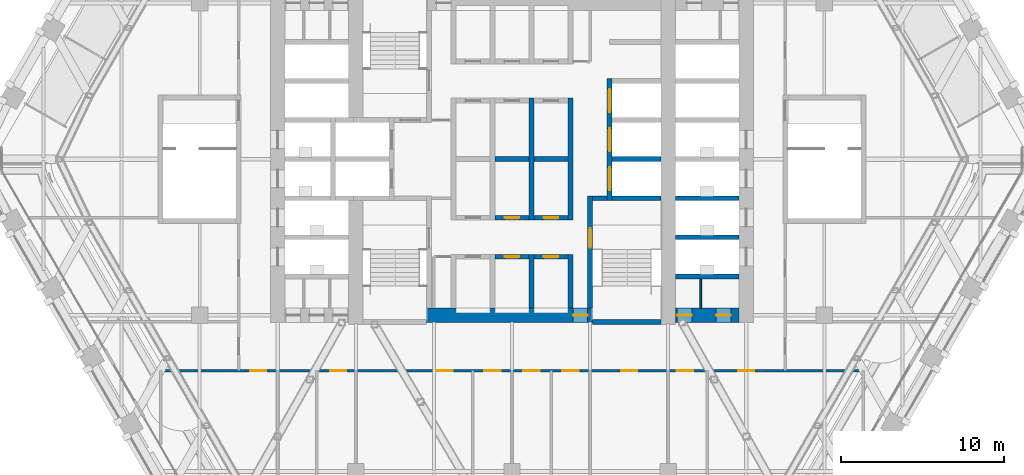
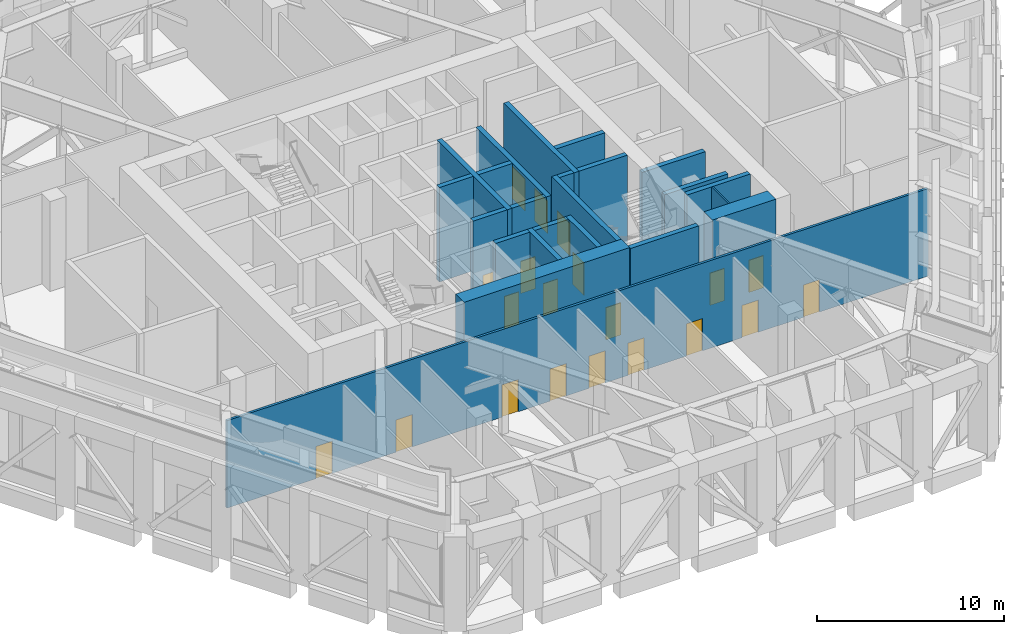
# One storey, part 17 of 27: 23 walls, 20 doors, 20 openings.
"""IFC4 building model written with IfcOpenShell, lengths in metres."""

from ifc_helpers import new_model, si_unit, direction, frame, frame_2d, origin, place, context, subcontext, project, spatial, rectangle, extrude, material, layer, layer_set, type_object, element, fill, save


model = new_model("IFC4")

# Units and contexts
model_context = context("Model", 3, precision=1e-05, world=origin(), true_north=direction((0.0, 1.0)))
body_context = subcontext(model_context, "Body", "Model", "MODEL_VIEW")
ifc_project = project(units=[si_unit("LENGTHUNIT", "METRE"), si_unit("AREAUNIT", "SQUARE_METRE"), si_unit("VOLUMEUNIT", "CUBIC_METRE"), si_unit("PLANEANGLEUNIT", "RADIAN"), si_unit("MASSUNIT", "GRAM", prefix="KILO")], contexts=[model_context])

# Site, building, storey
site_placement = place(None, origin())
site = spatial("IfcSite", under=ifc_project, at=site_placement, CompositionType="ELEMENT")
building_placement = place(site_placement, origin())
building = spatial("IfcBuilding", under=site, at=building_placement, Name="Kolab Exchange Tower", CompositionType="ELEMENT")
storey_placement = place(building_placement, frame((0.0, 0.0, 127.39990234375)))
storey = spatial("IfcBuildingStorey", under=building, at=storey_placement, Name="L25", CompositionType="ELEMENT", Elevation=127.39990234375)

# Wall, opening, door
ifc_material_1 = material(Name="Concrete C70/85", Category="concrete")
ifc_layer_1 = layer(ifc_material_1, 0.89990234375)
ifc_layer_set_1 = layer_set([ifc_layer_1], Name="Concrete C70/85")
wall_type_1 = type_object("IfcWallType", Name="CORE WALL 900 C70/85", PredefinedType="SHEAR", material=ifc_layer_set_1)
wall_1_placement = place(storey_placement, frame((-5.25, -9.60009765625, -0.2998046875), z_axis=(0.0, 0.0, 1.0), x_axis=(1.0, 0.0, 0.0)))
wall_1 = element("IfcWall", 1, at=wall_1_placement, inside=storey, type_object=wall_type_1, Name="wall/L25/core/003", PredefinedType="SHEAR", context=body_context, shape_type="SweptSolid", body=[
    extrude(rectangle(XDim=10.199951171875, YDim=0.89990234375, at=frame_2d((5.10009765625, 0.0))), origin(), (0.0, 0.0, 1.0), 6.14990234375),
])
opening_1_placement = place(wall_1_placement, frame((9.0, 0.0, 0.300048828125)))
opening_1 = element("IfcOpeningElement", 2, at=opening_1_placement, cuts=wall_1, Name="Opening D6-274", PredefinedType="OPENING", context=body_context, shape_type="SweptSolid", body=[
    extrude(rectangle(XDim=0.89990234375, YDim=2.10009765625, at=frame_2d((0.449951171875, 1.050048828125))), frame((0.0, 0.4599609375, 0.0), z_axis=(0.0, -1.0, 0.0), x_axis=(1.0, 0.0, 0.0)), (0.0, 0.0, 1.0), 0.919921875),
])
ifc_material_2 = material(Name="Steel S235", Category="steel")
door_type_1 = type_object("IfcDoorType", Name="CORE DOOR 900 EI 120", OperationType="SINGLE_SWING_LEFT", PredefinedType="DOOR", material=ifc_material_2)
door_1_placement = place(opening_1_placement, origin())
door_1 = element("IfcDoor", 3, at=door_1_placement, inside=storey, type_object=door_type_1, Name="Core lobby door", OperationType="SINGLE_SWING_LEFT", OverallHeight=2.10009765625, OverallWidth=0.89990234375, PredefinedType="DOOR", context=body_context, shape_type="SweptSolid", body=[
    extrude(rectangle(XDim=0.89990234375, YDim=2.10009765625, at=frame_2d((0.449951171875, 1.050048828125))), frame((0.0, 0.02490234375, 0.0), z_axis=(0.0, -1.0, 0.0), x_axis=(1.0, 0.0, 0.0)), (0.0, 0.0, 1.0), 0.050048828125),
])
fill(opening_1, door_1)

# Wall, openings, doors
wall_2_placement = place(storey_placement, frame((10.050048828125, -9.60009765625, -0.2998046875), z_axis=(0.0, 0.0, 1.0), x_axis=(1.0, 0.0, 0.0)))
wall_2 = element("IfcWall", 4, at=wall_2_placement, inside=storey, type_object=wall_type_1, Name="wall/L25/core/004", PredefinedType="SHEAR", context=body_context, shape_type="SweptSolid", body=[
    extrude(rectangle(XDim=3.89990234375, YDim=0.89990234375, at=frame_2d((1.949951171875, 0.0))), origin(), (0.0, 0.0, 1.0), 6.14990234375),
])
opening_2_placement = place(wall_2_placement, frame((0.10009765625, 0.0, 0.300048828125)))
opening_2 = element("IfcOpeningElement", 5, at=opening_2_placement, cuts=wall_2, Name="Opening D6-279", PredefinedType="OPENING", context=body_context, shape_type="SweptSolid", body=[
    extrude(rectangle(XDim=0.89990234375, YDim=2.10009765625, at=frame_2d((0.449951171875, 1.050048828125))), frame((0.0, 0.4599609375, 0.0), z_axis=(0.0, -1.0, 0.0), x_axis=(1.0, 0.0, 0.0)), (0.0, 0.0, 1.0), 0.919921875),
])
opening_3_placement = place(wall_2_placement, frame((2.5, 0.0, 0.300048828125)))
opening_3 = element("IfcOpeningElement", 6, at=opening_3_placement, cuts=wall_2, Name="Opening D6-280", PredefinedType="OPENING", context=body_context, shape_type="SweptSolid", body=[
    extrude(rectangle(XDim=0.89990234375, YDim=2.10009765625, at=frame_2d((0.449951171875, 1.050048828125))), frame((0.0, 0.4599609375, 0.0), z_axis=(0.0, -1.0, 0.0), x_axis=(1.0, 0.0, 0.0)), (0.0, 0.0, 1.0), 0.919921875),
])
door_2_placement = place(opening_2_placement, origin())
door_2 = element("IfcDoor", 7, at=door_2_placement, inside=storey, type_object=door_type_1, Name="Service room door", OperationType="SINGLE_SWING_RIGHT", OverallHeight=2.10009765625, OverallWidth=0.89990234375, PredefinedType="DOOR", context=body_context, shape_type="SweptSolid", body=[
    extrude(rectangle(XDim=0.89990234375, YDim=2.10009765625, at=frame_2d((0.449951171875, 1.050048828125))), frame((0.0, 0.02490234375, 0.0), z_axis=(0.0, -1.0, 0.0), x_axis=(1.0, 0.0, 0.0)), (0.0, 0.0, 1.0), 0.050048828125),
])
fill(opening_2, door_2)
door_3_placement = place(opening_3_placement, origin())
door_3 = element("IfcDoor", 8, at=door_3_placement, inside=storey, type_object=door_type_1, Name="Service room door", OperationType="SINGLE_SWING_LEFT", OverallHeight=2.10009765625, OverallWidth=0.89990234375, PredefinedType="DOOR", context=body_context, shape_type="SweptSolid", body=[
    extrude(rectangle(XDim=0.89990234375, YDim=2.10009765625, at=frame_2d((0.449951171875, 1.050048828125))), frame((0.0, 0.02490234375, 0.0), z_axis=(0.0, -1.0, 0.0), x_axis=(1.0, 0.0, 0.0)), (0.0, 0.0, 1.0), 0.050048828125),
])
fill(opening_3, door_3)

# Wall
ifc_material_3 = material(Name="Concrete C50/60", Category="concrete")
ifc_layer_2 = layer(ifc_material_3, 0.300048828125)
ifc_layer_set_2 = layer_set([ifc_layer_2], Name="Concrete C50/60")
wall_type_2 = type_object("IfcWallType", Name="LIFT SHAFT WALL 300 C50/60", PredefinedType="STANDARD", material=ifc_layer_set_2)
wall_3_placement = place(storey_placement, frame((10.050048828125, -7.199951171875, -0.2998046875), z_axis=(0.0, 0.0, 1.0), x_axis=(1.0, 0.0, 0.0)))
element("IfcWall", 9, at=wall_3_placement, inside=storey, type_object=wall_type_2, Name="wall/L25/core/006", PredefinedType="STANDARD", context=body_context, shape_type="SweptSolid", body=[
    extrude(rectangle(XDim=3.89990234375, YDim=0.300048828125, at=frame_2d((1.949951171875, 0.0))), origin(), (0.0, 0.0, 1.0), 6.14990234375),
])

# Wall, opening, door
wall_4_placement = place(storey_placement, frame((-1.050048828125, -6.0, -0.2998046875), z_axis=(0.0, 0.0, 1.0), x_axis=(1.0, 0.0, 0.0)))
wall_4 = element("IfcWall", 10, at=wall_4_placement, inside=storey, type_object=wall_type_2, Name="wall/L25/core/008", PredefinedType="STANDARD", context=body_context, shape_type="SweptSolid", body=[
    extrude(rectangle(XDim=2.10009765625, YDim=0.300048828125, at=frame_2d((1.050048828125, 0.0))), origin(), (0.0, 0.0, 1.0), 6.14990234375),
])
opening_4_placement = place(wall_4_placement, frame((0.60009765625, 0.0, 0.300048828125)))
opening_4 = element("IfcOpeningElement", 11, at=opening_4_placement, cuts=wall_4, Name="Opening D6-271", PredefinedType="OPENING", context=body_context, shape_type="SweptSolid", body=[
    extrude(rectangle(XDim=0.89990234375, YDim=2.10009765625, at=frame_2d((0.449951171875, 1.050048828125))), frame((0.0, 0.16015625, 0.0), z_axis=(0.0, -1.0, 0.0), x_axis=(1.0, 0.0, 0.0)), (0.0, 0.0, 1.0), 0.320068359375),
])
door_4_placement = place(opening_4_placement, frame((0.89990234375, 0.0, 0.0), z_axis=(0.0, 0.0, 1.0), x_axis=(-1.0, 0.0, 0.0)))
door_4 = element("IfcDoor", 12, at=door_4_placement, inside=storey, type_object=door_type_1, Name="Service room door", OperationType="SINGLE_SWING_LEFT", OverallHeight=2.10009765625, OverallWidth=0.89990234375, PredefinedType="DOOR", context=body_context, shape_type="SweptSolid", body=[
    extrude(rectangle(XDim=0.89990234375, YDim=2.10009765625, at=frame_2d((0.449951171875, 1.050048828125))), frame((0.0, 0.02490234375, 0.0), z_axis=(0.0, -1.0, 0.0), x_axis=(1.0, 0.0, 0.0)), (0.0, 0.0, 1.0), 0.050048828125),
])
fill(opening_4, door_4)

wall_5_placement = place(storey_placement, frame((1.35009765625, -6.0, -0.2998046875), z_axis=(0.0, 0.0, 1.0), x_axis=(1.0, 0.0, 0.0)))
wall_5 = element("IfcWall", 13, at=wall_5_placement, inside=storey, type_object=wall_type_2, Name="wall/L25/core/009", PredefinedType="STANDARD", context=body_context, shape_type="SweptSolid", body=[
    extrude(rectangle(XDim=2.099853515625, YDim=0.300048828125, at=frame_2d((1.0498046875, 0.0))), origin(), (0.0, 0.0, 1.0), 6.14990234375),
])
opening_5_placement = place(wall_5_placement, frame((0.60009765625, 0.0, 0.300048828125)))
opening_5 = element("IfcOpeningElement", 14, at=opening_5_placement, cuts=wall_5, Name="Opening D6-270", PredefinedType="OPENING", context=body_context, shape_type="SweptSolid", body=[
    extrude(rectangle(XDim=0.89990234375, YDim=2.10009765625, at=frame_2d((0.449951171875, 1.050048828125))), frame((0.0, 0.16015625, 0.0), z_axis=(0.0, -1.0, 0.0), x_axis=(1.0, 0.0, 0.0)), (0.0, 0.0, 1.0), 0.320068359375),
])
door_5_placement = place(opening_5_placement, frame((0.89990234375, 0.0, 0.0), z_axis=(0.0, 0.0, 1.0), x_axis=(-1.0, 0.0, 0.0)))
door_5 = element("IfcDoor", 15, at=door_5_placement, inside=storey, type_object=door_type_1, Name="Service room door", OperationType="SINGLE_SWING_RIGHT", OverallHeight=2.10009765625, OverallWidth=0.89990234375, PredefinedType="DOOR", context=body_context, shape_type="SweptSolid", body=[
    extrude(rectangle(XDim=0.89990234375, YDim=2.10009765625, at=frame_2d((0.449951171875, 1.050048828125))), frame((0.0, 0.02490234375, 0.0), z_axis=(0.0, -1.0, 0.0), x_axis=(1.0, 0.0, 0.0)), (0.0, 0.0, 1.0), 0.050048828125),
])
fill(opening_5, door_5)

# Wall
wall_6_placement = place(storey_placement, frame((10.050048828125, -4.800048828125, -0.2998046875), z_axis=(0.0, 0.0, 1.0), x_axis=(1.0, 0.0, 0.0)))
element("IfcWall", 16, at=wall_6_placement, inside=storey, type_object=wall_type_2, Name="wall/L25/core/011", PredefinedType="STANDARD", context=body_context, shape_type="SweptSolid", body=[
    extrude(rectangle(XDim=3.89990234375, YDim=0.300048828125, at=frame_2d((1.949951171875, 0.0))), origin(), (0.0, 0.0, 1.0), 4.699951171875),
])

# Wall, opening, door
wall_7_placement = place(storey_placement, frame((-1.050048828125, -3.60009765625, -0.2998046875), z_axis=(0.0, 0.0, 1.0), x_axis=(1.0, 0.0, 0.0)))
wall_7 = element("IfcWall", 17, at=wall_7_placement, inside=storey, type_object=wall_type_2, Name="wall/L25/core/015", PredefinedType="STANDARD", context=body_context, shape_type="SweptSolid", body=[
    extrude(rectangle(XDim=2.10009765625, YDim=0.300048828125, at=frame_2d((1.050048828125, 0.0))), origin(), (0.0, 0.0, 1.0), 6.14990234375),
])
opening_6_placement = place(wall_7_placement, frame((0.60009765625, 0.0, 0.300048828125)))
opening_6 = element("IfcOpeningElement", 18, at=opening_6_placement, cuts=wall_7, Name="Opening D6-268", PredefinedType="OPENING", context=body_context, shape_type="SweptSolid", body=[
    extrude(rectangle(XDim=0.89990234375, YDim=2.10009765625, at=frame_2d((0.449951171875, 1.050048828125))), frame((0.0, 0.16015625, 0.0), z_axis=(0.0, -1.0, 0.0), x_axis=(1.0, 0.0, 0.0)), (0.0, 0.0, 1.0), 0.320068359375),
])
door_6_placement = place(opening_6_placement, origin())
door_6 = element("IfcDoor", 19, at=door_6_placement, inside=storey, type_object=door_type_1, Name="Service room door", OperationType="SINGLE_SWING_LEFT", OverallHeight=2.10009765625, OverallWidth=0.89990234375, PredefinedType="DOOR", context=body_context, shape_type="SweptSolid", body=[
    extrude(rectangle(XDim=0.89990234375, YDim=2.10009765625, at=frame_2d((0.449951171875, 1.050048828125))), frame((0.0, 0.02490234375, 0.0), z_axis=(0.0, -1.0, 0.0), x_axis=(1.0, 0.0, 0.0)), (0.0, 0.0, 1.0), 0.050048828125),
])
fill(opening_6, door_6)

wall_8_placement = place(storey_placement, frame((1.35009765625, -3.60009765625, -0.2998046875), z_axis=(0.0, 0.0, 1.0), x_axis=(1.0, 0.0, 0.0)))
wall_8 = element("IfcWall", 20, at=wall_8_placement, inside=storey, type_object=wall_type_2, Name="wall/L25/core/016", PredefinedType="STANDARD", context=body_context, shape_type="SweptSolid", body=[
    extrude(rectangle(XDim=2.099853515625, YDim=0.300048828125, at=frame_2d((1.0498046875, 0.0))), origin(), (0.0, 0.0, 1.0), 6.14990234375),
])
opening_7_placement = place(wall_8_placement, frame((0.60009765625, 0.0, 0.300048828125)))
opening_7 = element("IfcOpeningElement", 21, at=opening_7_placement, cuts=wall_8, Name="Opening D6-267", PredefinedType="OPENING", context=body_context, shape_type="SweptSolid", body=[
    extrude(rectangle(XDim=0.89990234375, YDim=2.10009765625, at=frame_2d((0.449951171875, 1.050048828125))), frame((0.0, 0.16015625, 0.0), z_axis=(0.0, -1.0, 0.0), x_axis=(1.0, 0.0, 0.0)), (0.0, 0.0, 1.0), 0.320068359375),
])
door_7_placement = place(opening_7_placement, origin())
door_7 = element("IfcDoor", 22, at=door_7_placement, inside=storey, type_object=door_type_1, Name="Service room door", OperationType="SINGLE_SWING_RIGHT", OverallHeight=2.10009765625, OverallWidth=0.89990234375, PredefinedType="DOOR", context=body_context, shape_type="SweptSolid", body=[
    extrude(rectangle(XDim=0.89990234375, YDim=2.10009765625, at=frame_2d((0.449951171875, 1.050048828125))), frame((0.0, 0.02490234375, 0.0), z_axis=(0.0, -1.0, 0.0), x_axis=(1.0, 0.0, 0.0)), (0.0, 0.0, 1.0), 0.050048828125),
])
fill(opening_7, door_7)

# Walls
wall_9_placement = place(storey_placement, frame((10.050048828125, -2.39990234375, -0.2998046875), z_axis=(0.0, 0.0, 1.0), x_axis=(1.0, 0.0, 0.0)))
element("IfcWall", 23, at=wall_9_placement, inside=storey, type_object=wall_type_2, Name="wall/L25/core/023", PredefinedType="STANDARD", context=body_context, shape_type="SweptSolid", body=[
    extrude(rectangle(XDim=3.89990234375, YDim=0.300048828125, at=frame_2d((1.949951171875, 0.0))), origin(), (0.0, 0.0, 1.0), 4.699951171875),
])
wall_10_placement = place(storey_placement, frame((-1.050048828125, 0.0, -0.2998046875), z_axis=(0.0, 0.0, 1.0), x_axis=(1.0, 0.0, 0.0)))
element("IfcWall", 24, at=wall_10_placement, inside=storey, type_object=wall_type_2, Name="wall/L25/core/027", PredefinedType="STANDARD", context=body_context, shape_type="SweptSolid", body=[
    extrude(rectangle(XDim=2.10009765625, YDim=0.300048828125, at=frame_2d((1.050048828125, 0.0))), origin(), (0.0, 0.0, 1.0), 6.14990234375),
])
wall_11_placement = place(storey_placement, frame((1.35009765625, 0.0, -0.2998046875), z_axis=(0.0, 0.0, 1.0), x_axis=(1.0, 0.0, 0.0)))
element("IfcWall", 25, at=wall_11_placement, inside=storey, type_object=wall_type_2, Name="wall/L25/core/028", PredefinedType="STANDARD", context=body_context, shape_type="SweptSolid", body=[
    extrude(rectangle(XDim=2.099853515625, YDim=0.300048828125, at=frame_2d((1.0498046875, 0.0))), origin(), (0.0, 0.0, 1.0), 6.14990234375),
])
wall_12_placement = place(storey_placement, frame((6.14990234375, 0.0, -0.2998046875), z_axis=(0.0, 0.0, 1.0), x_axis=(1.0, 0.0, 0.0)))
element("IfcWall", 26, at=wall_12_placement, inside=storey, type_object=wall_type_2, Name="wall/L25/core/029", PredefinedType="STANDARD", context=body_context, shape_type="SweptSolid", body=[
    extrude(rectangle(XDim=3.0, YDim=0.300048828125, at=frame_2d((1.5, 0.0))), origin(), (0.0, 0.0, 1.0), 6.14990234375),
])
wall_13_placement = place(storey_placement, frame((1.199951171875, -9.14990234375, -0.2998046875), z_axis=(0.0, 0.0, 1.0), x_axis=(0.0, 1.0, 0.0)))
element("IfcWall", 27, at=wall_13_placement, inside=storey, type_object=wall_type_2, Name="wall/L25/core/072", PredefinedType="STANDARD", context=body_context, shape_type="SweptSolid", body=[
    extrude(rectangle(XDim=3.2998046875, YDim=0.300048828125, at=frame_2d((1.64990234375, 0.0))), origin(), (0.0, 0.0, 1.0), 6.14990234375),
])
wall_14_placement = place(storey_placement, frame((1.199951171875, -3.75, -0.2998046875), z_axis=(0.0, 0.0, 1.0), x_axis=(0.0, 1.0, 0.0)))
element("IfcWall", 28, at=wall_14_placement, inside=storey, type_object=wall_type_2, Name="wall/L25/core/073", PredefinedType="STANDARD", context=body_context, shape_type="SweptSolid", body=[
    extrude(rectangle(XDim=7.5, YDim=0.300048828125, at=frame_2d((3.75, 0.0))), origin(), (0.0, 0.0, 1.0), 6.14990234375),
])
wall_15_placement = place(storey_placement, frame((3.60009765625, -9.14990234375, -0.2998046875), z_axis=(0.0, 0.0, 1.0), x_axis=(0.0, 1.0, 0.0)))
element("IfcWall", 29, at=wall_15_placement, inside=storey, type_object=wall_type_2, Name="wall/L25/core/075", PredefinedType="STANDARD", context=body_context, shape_type="SweptSolid", body=[
    extrude(rectangle(XDim=3.2998046875, YDim=0.300048828125, at=frame_2d((1.64990234375, 0.0))), origin(), (0.0, 0.0, 1.0), 6.14990234375),
])
wall_16_placement = place(storey_placement, frame((3.60009765625, -3.75, -0.2998046875), z_axis=(0.0, 0.0, 1.0), x_axis=(0.0, 1.0, 0.0)))
element("IfcWall", 30, at=wall_16_placement, inside=storey, type_object=wall_type_2, Name="wall/L25/core/076", PredefinedType="STANDARD", context=body_context, shape_type="SweptSolid", body=[
    extrude(rectangle(XDim=7.5, YDim=0.300048828125, at=frame_2d((3.75, 0.0))), origin(), (0.0, 0.0, 1.0), 6.14990234375),
])

# Wall, openings, doors
wall_17_placement = place(storey_placement, frame((6.0, -2.550048828125, -0.2998046875), z_axis=(0.0, 0.0, 1.0), x_axis=(0.0, 1.0, 0.0)))
wall_17 = element("IfcWall", 31, at=wall_17_placement, inside=storey, type_object=wall_type_2, Name="wall/L25/core/079", PredefinedType="STANDARD", context=body_context, shape_type="SweptSolid", body=[
    extrude(rectangle(XDim=7.5, YDim=0.300048828125, at=frame_2d((3.75, 0.0))), origin(), (0.0, 0.0, 1.0), 6.14990234375),
])
opening_8_placement = place(wall_17_placement, frame((0.64990234375, 0.0, 0.300048828125)))
opening_8 = element("IfcOpeningElement", 32, at=opening_8_placement, cuts=wall_17, Name="Opening LD3-031", PredefinedType="OPENING", context=body_context, shape_type="SweptSolid", body=[
    extrude(rectangle(XDim=1.39990234375, YDim=2.10009765625, at=frame_2d((0.699951171875, 1.050048828125))), frame((0.0, 0.16015625, 0.0), z_axis=(0.0, -1.0, 0.0), x_axis=(1.0, 0.0, 0.0)), (0.0, 0.0, 1.0), 0.320068359375),
])
opening_9_placement = place(wall_17_placement, frame((3.050048828125, 0.0, 0.300048828125)))
opening_9 = element("IfcOpeningElement", 33, at=opening_9_placement, cuts=wall_17, Name="Opening LD3-032", PredefinedType="OPENING", context=body_context, shape_type="SweptSolid", body=[
    extrude(rectangle(XDim=1.39990234375, YDim=2.10009765625, at=frame_2d((0.699951171875, 1.050048828125))), frame((0.0, 0.16015625, 0.0), z_axis=(0.0, -1.0, 0.0), x_axis=(1.0, 0.0, 0.0)), (0.0, 0.0, 1.0), 0.320068359375),
])
opening_10_placement = place(wall_17_placement, frame((5.449951171875, 0.0, 0.300048828125)))
opening_10 = element("IfcOpeningElement", 34, at=opening_10_placement, cuts=wall_17, Name="Opening LD3-033", PredefinedType="OPENING", context=body_context, shape_type="SweptSolid", body=[
    extrude(rectangle(XDim=1.39990234375, YDim=2.10009765625, at=frame_2d((0.699951171875, 1.050048828125))), frame((0.0, 0.16015625, 0.0), z_axis=(0.0, -1.0, 0.0), x_axis=(1.0, 0.0, 0.0)), (0.0, 0.0, 1.0), 0.320068359375),
])
ifc_material_4 = material(Name="Stainless steel 316", Category="steel")
door_type_2 = type_object("IfcDoorType", Name="LANDING DOOR 1400 SERVICE", OperationType="DOUBLE_DOOR_SLIDING", PredefinedType="DOOR", material=ifc_material_4)
door_8_placement = place(opening_8_placement, origin())
door_8 = element("IfcDoor", 35, at=door_8_placement, inside=storey, type_object=door_type_2, Name="Landing door SV1", OperationType="DOUBLE_DOOR_SLIDING", OverallHeight=2.10009765625, OverallWidth=1.39990234375, PredefinedType="DOOR", context=body_context, shape_type="SweptSolid", body=[
    extrude(rectangle(XDim=1.39990234375, YDim=2.10009765625, at=frame_2d((0.699951171875, 1.050048828125))), frame((0.0, 0.02490234375, 0.0), z_axis=(0.0, -1.0, 0.0), x_axis=(1.0, 0.0, 0.0)), (0.0, 0.0, 1.0), 0.050048828125),
])
fill(opening_8, door_8)
door_9_placement = place(opening_9_placement, origin())
door_9 = element("IfcDoor", 36, at=door_9_placement, inside=storey, type_object=door_type_2, Name="Landing door SV2", OperationType="DOUBLE_DOOR_SLIDING", OverallHeight=2.10009765625, OverallWidth=1.39990234375, PredefinedType="DOOR", context=body_context, shape_type="SweptSolid", body=[
    extrude(rectangle(XDim=1.39990234375, YDim=2.10009765625, at=frame_2d((0.699951171875, 1.050048828125))), frame((0.0, 0.02490234375, 0.0), z_axis=(0.0, -1.0, 0.0), x_axis=(1.0, 0.0, 0.0)), (0.0, 0.0, 1.0), 0.050048828125),
])
fill(opening_9, door_9)
door_10_placement = place(opening_10_placement, origin())
door_10 = element("IfcDoor", 37, at=door_10_placement, inside=storey, type_object=door_type_2, Name="Landing door SV3", OperationType="DOUBLE_DOOR_SLIDING", OverallHeight=2.10009765625, OverallWidth=1.39990234375, PredefinedType="DOOR", context=body_context, shape_type="SweptSolid", body=[
    extrude(rectangle(XDim=1.39990234375, YDim=2.10009765625, at=frame_2d((0.699951171875, 1.050048828125))), frame((0.0, 0.02490234375, 0.0), z_axis=(0.0, -1.0, 0.0), x_axis=(1.0, 0.0, 0.0)), (0.0, 0.0, 1.0), 0.050048828125),
])
fill(opening_10, door_10)

# Wall
ifc_material_5 = material(Name="Gypsum board", Category="gypsum")
ifc_layer_3 = layer(ifc_material_5, 0.10009765625)
ifc_layer_set_3 = layer_set([ifc_layer_3], Name="Gypsum board")
wall_type_3 = type_object("IfcWallType", Name="PARTITION 100", PredefinedType="PARTITIONING", material=ifc_layer_set_3)
wall_18_placement = place(storey_placement, frame((11.60009765625, -9.14990234375, 0.0), z_axis=(0.0, 0.0, 1.0), x_axis=(0.0, 1.0, 0.0)))
element("IfcWall", 38, at=wall_18_placement, inside=storey, type_object=wall_type_3, Name="Partition 007", PredefinedType="PARTITIONING", context=body_context, shape_type="SweptSolid", body=[
    extrude(rectangle(XDim=1.7998046875, YDim=0.10009765625, at=frame_2d((0.89990234375, 0.0))), origin(), (0.0, 0.0, 1.0), 5.85009765625),
])

# Wall, openings, doors
ifc_layer_4 = layer(ifc_material_5, 0.14990234375)
ifc_layer_set_4 = layer_set([ifc_layer_4], Name="Gypsum board")
wall_type_4 = type_object("IfcWallType", Name="PARTITION 150 FIRE-RATED", PredefinedType="PARTITIONING", material=ifc_layer_set_4)
wall_19_placement = place(storey_placement, frame((-21.60009765625, -13.0, 0.0), z_axis=(0.0, 0.0, 1.0), x_axis=(1.0, 0.0, 0.0)))
wall_19 = element("IfcWall", 39, at=wall_19_placement, inside=storey, type_object=wall_type_4, Name="Partition 038", PredefinedType="PARTITIONING", context=body_context, shape_type="SweptSolid", body=[
    extrude(rectangle(XDim=43.2001953125, YDim=0.14990234375, at=frame_2d((21.60009765625, 0.0))), origin(), (0.0, 0.0, 1.0), 5.7001953125),
])
opening_11_placement = place(wall_19_placement, frame((5.5, 0.0, 0.0)))
opening_11 = element("IfcOpeningElement", 40, at=opening_11_placement, cuts=wall_19, Name="Opening D1-366", PredefinedType="OPENING", context=body_context, shape_type="SweptSolid", body=[
    extrude(rectangle(XDim=1.0, YDim=2.10009765625, at=frame_2d((0.5, 1.050048828125))), frame((0.0, 0.0849609375, 0.0), z_axis=(0.0, -1.0, 0.0), x_axis=(1.0, 0.0, 0.0)), (0.0, 0.0, 1.0), 0.169921875),
])
opening_12_placement = place(wall_19_placement, frame((10.425048828125, 0.0, 0.0)))
opening_12 = element("IfcOpeningElement", 41, at=opening_12_placement, cuts=wall_19, Name="Opening D1-368", PredefinedType="OPENING", context=body_context, shape_type="SweptSolid", body=[
    extrude(rectangle(XDim=1.0, YDim=2.10009765625, at=frame_2d((0.5, 1.050048828125))), frame((0.0, 0.0849609375, 0.0), z_axis=(0.0, -1.0, 0.0), x_axis=(1.0, 0.0, 0.0)), (0.0, 0.0, 1.0), 0.169921875),
])
opening_13_placement = place(wall_19_placement, frame((16.955078125, 0.0, 0.0)))
opening_13 = element("IfcOpeningElement", 42, at=opening_13_placement, cuts=wall_19, Name="Opening D1-369", PredefinedType="OPENING", context=body_context, shape_type="SweptSolid", body=[
    extrude(rectangle(XDim=1.0, YDim=2.10009765625, at=frame_2d((0.5, 1.050048828125))), frame((0.0, 0.0849609375, 0.0), z_axis=(0.0, -1.0, 0.0), x_axis=(1.0, 0.0, 0.0)), (0.0, 0.0, 1.0), 0.169921875),
])
opening_14_placement = place(wall_19_placement, frame((19.89990234375, 0.0, 0.0)))
opening_14 = element("IfcOpeningElement", 43, at=opening_14_placement, cuts=wall_19, Name="Opening D1-370", PredefinedType="OPENING", context=body_context, shape_type="SweptSolid", body=[
    extrude(rectangle(XDim=1.0, YDim=2.10009765625, at=frame_2d((0.5, 1.050048828125))), frame((0.0, 0.0849609375, 0.0), z_axis=(0.0, -1.0, 0.0), x_axis=(1.0, 0.0, 0.0)), (0.0, 0.0, 1.0), 0.169921875),
])
opening_15_placement = place(wall_19_placement, frame((22.300048828125, 0.0, 0.0)))
opening_15 = element("IfcOpeningElement", 44, at=opening_15_placement, cuts=wall_19, Name="Opening D1-371", PredefinedType="OPENING", context=body_context, shape_type="SweptSolid", body=[
    extrude(rectangle(XDim=1.0, YDim=2.10009765625, at=frame_2d((0.5, 1.050048828125))), frame((0.0, 0.0849609375, 0.0), z_axis=(0.0, -1.0, 0.0), x_axis=(1.0, 0.0, 0.0)), (0.0, 0.0, 1.0), 0.169921875),
])
opening_16_placement = place(wall_19_placement, frame((24.699951171875, 0.0, 0.0)))
opening_16 = element("IfcOpeningElement", 45, at=opening_16_placement, cuts=wall_19, Name="Opening D1-372", PredefinedType="OPENING", context=body_context, shape_type="SweptSolid", body=[
    extrude(rectangle(XDim=1.0, YDim=2.10009765625, at=frame_2d((0.5, 1.050048828125))), frame((0.0, 0.0849609375, 0.0), z_axis=(0.0, -1.0, 0.0), x_axis=(1.0, 0.0, 0.0)), (0.0, 0.0, 1.0), 0.169921875),
])
opening_17_placement = place(wall_19_placement, frame((28.300048828125, 0.0, 0.0)))
opening_17 = element("IfcOpeningElement", 46, at=opening_17_placement, cuts=wall_19, Name="Opening D1-373", PredefinedType="OPENING", context=body_context, shape_type="SweptSolid", body=[
    extrude(rectangle(XDim=1.0, YDim=2.10009765625, at=frame_2d((0.5, 1.050048828125))), frame((0.0, 0.0849609375, 0.0), z_axis=(0.0, -1.0, 0.0), x_axis=(1.0, 0.0, 0.0)), (0.0, 0.0, 1.0), 0.169921875),
])
opening_18_placement = place(wall_19_placement, frame((31.72509765625, 0.0, 0.0)))
opening_18 = element("IfcOpeningElement", 47, at=opening_18_placement, cuts=wall_19, Name="Opening D1-374", PredefinedType="OPENING", context=body_context, shape_type="SweptSolid", body=[
    extrude(rectangle(XDim=1.0, YDim=2.10009765625, at=frame_2d((0.5, 1.050048828125))), frame((0.0, 0.0849609375, 0.0), z_axis=(0.0, -1.0, 0.0), x_axis=(1.0, 0.0, 0.0)), (0.0, 0.0, 1.0), 0.169921875),
])
opening_19_placement = place(wall_19_placement, frame((35.5, 0.0, 0.0)))
opening_19 = element("IfcOpeningElement", 48, at=opening_19_placement, cuts=wall_19, Name="Opening D1-375", PredefinedType="OPENING", context=body_context, shape_type="SweptSolid", body=[
    extrude(rectangle(XDim=1.0, YDim=2.10009765625, at=frame_2d((0.5, 1.050048828125))), frame((0.0, 0.0849609375, 0.0), z_axis=(0.0, -1.0, 0.0), x_axis=(1.0, 0.0, 0.0)), (0.0, 0.0, 1.0), 0.169921875),
])
door_type_3 = type_object("IfcDoorType", Name="FLUSH DOOR 1000 FD60", OperationType="SINGLE_SWING_LEFT", PredefinedType="DOOR", material=ifc_material_2)
door_11_placement = place(opening_11_placement, frame((1.0, 0.0, 0.0), z_axis=(0.0, 0.0, 1.0), x_axis=(-1.0, 0.0, 0.0)))
door_11 = element("IfcDoor", 49, at=door_11_placement, inside=storey, type_object=door_type_3, Name="Door L25-059", OperationType="SINGLE_SWING_RIGHT", OverallHeight=2.10009765625, OverallWidth=1.0, PredefinedType="DOOR", context=body_context, shape_type="SweptSolid", body=[
    extrude(rectangle(XDim=1.0, YDim=2.10009765625, at=frame_2d((0.5, 1.050048828125))), frame((0.0, 0.02490234375, 0.0), z_axis=(0.0, -1.0, 0.0), x_axis=(1.0, 0.0, 0.0)), (0.0, 0.0, 1.0), 0.050048828125),
])
fill(opening_11, door_11)
door_12_placement = place(opening_12_placement, frame((1.0, 0.0, 0.0), z_axis=(0.0, 0.0, 1.0), x_axis=(-1.0, 0.0, 0.0)))
door_12 = element("IfcDoor", 50, at=door_12_placement, inside=storey, type_object=door_type_3, Name="Door L25-061", OperationType="SINGLE_SWING_RIGHT", OverallHeight=2.10009765625, OverallWidth=1.0, PredefinedType="DOOR", context=body_context, shape_type="SweptSolid", body=[
    extrude(rectangle(XDim=1.0, YDim=2.10009765625, at=frame_2d((0.5, 1.050048828125))), frame((0.0, 0.02490234375, 0.0), z_axis=(0.0, -1.0, 0.0), x_axis=(1.0, 0.0, 0.0)), (0.0, 0.0, 1.0), 0.050048828125),
])
fill(opening_12, door_12)
door_13_placement = place(opening_13_placement, frame((1.0, 0.0, 0.0), z_axis=(0.0, 0.0, 1.0), x_axis=(-1.0, 0.0, 0.0)))
door_13 = element("IfcDoor", 51, at=door_13_placement, inside=storey, type_object=door_type_3, Name="Door L25-062", OperationType="SINGLE_SWING_RIGHT", OverallHeight=2.10009765625, OverallWidth=1.0, PredefinedType="DOOR", context=body_context, shape_type="SweptSolid", body=[
    extrude(rectangle(XDim=1.0, YDim=2.10009765625, at=frame_2d((0.5, 1.050048828125))), frame((0.0, 0.02490234375, 0.0), z_axis=(0.0, -1.0, 0.0), x_axis=(1.0, 0.0, 0.0)), (0.0, 0.0, 1.0), 0.050048828125),
])
fill(opening_13, door_13)
door_14_placement = place(opening_14_placement, frame((1.0, 0.0, 0.0), z_axis=(0.0, 0.0, 1.0), x_axis=(-1.0, 0.0, 0.0)))
door_14 = element("IfcDoor", 52, at=door_14_placement, inside=storey, type_object=door_type_3, Name="Door L25-063", OperationType="SINGLE_SWING_LEFT", OverallHeight=2.10009765625, OverallWidth=1.0, PredefinedType="DOOR", context=body_context, shape_type="SweptSolid", body=[
    extrude(rectangle(XDim=1.0, YDim=2.10009765625, at=frame_2d((0.5, 1.050048828125))), frame((0.0, 0.02490234375, 0.0), z_axis=(0.0, -1.0, 0.0), x_axis=(1.0, 0.0, 0.0)), (0.0, 0.0, 1.0), 0.050048828125),
])
fill(opening_14, door_14)
door_15_placement = place(opening_15_placement, frame((1.0, 0.0, 0.0), z_axis=(0.0, 0.0, 1.0), x_axis=(-1.0, 0.0, 0.0)))
door_15 = element("IfcDoor", 53, at=door_15_placement, inside=storey, type_object=door_type_3, Name="Door L25-064", OperationType="SINGLE_SWING_LEFT", OverallHeight=2.10009765625, OverallWidth=1.0, PredefinedType="DOOR", context=body_context, shape_type="SweptSolid", body=[
    extrude(rectangle(XDim=1.0, YDim=2.10009765625, at=frame_2d((0.5, 1.050048828125))), frame((0.0, 0.02490234375, 0.0), z_axis=(0.0, -1.0, 0.0), x_axis=(1.0, 0.0, 0.0)), (0.0, 0.0, 1.0), 0.050048828125),
])
fill(opening_15, door_15)
door_16_placement = place(opening_16_placement, frame((1.0, 0.0, 0.0), z_axis=(0.0, 0.0, 1.0), x_axis=(-1.0, 0.0, 0.0)))
door_16 = element("IfcDoor", 54, at=door_16_placement, inside=storey, type_object=door_type_3, Name="Door L25-065", OperationType="SINGLE_SWING_LEFT", OverallHeight=2.10009765625, OverallWidth=1.0, PredefinedType="DOOR", context=body_context, shape_type="SweptSolid", body=[
    extrude(rectangle(XDim=1.0, YDim=2.10009765625, at=frame_2d((0.5, 1.050048828125))), frame((0.0, 0.02490234375, 0.0), z_axis=(0.0, -1.0, 0.0), x_axis=(1.0, 0.0, 0.0)), (0.0, 0.0, 1.0), 0.050048828125),
])
fill(opening_16, door_16)
door_17_placement = place(opening_17_placement, frame((1.0, 0.0, 0.0), z_axis=(0.0, 0.0, 1.0), x_axis=(-1.0, 0.0, 0.0)))
door_17 = element("IfcDoor", 55, at=door_17_placement, inside=storey, type_object=door_type_3, Name="Door L25-066", OperationType="SINGLE_SWING_LEFT", OverallHeight=2.10009765625, OverallWidth=1.0, PredefinedType="DOOR", context=body_context, shape_type="SweptSolid", body=[
    extrude(rectangle(XDim=1.0, YDim=2.10009765625, at=frame_2d((0.5, 1.050048828125))), frame((0.0, 0.02490234375, 0.0), z_axis=(0.0, -1.0, 0.0), x_axis=(1.0, 0.0, 0.0)), (0.0, 0.0, 1.0), 0.050048828125),
])
fill(opening_17, door_17)
door_18_placement = place(opening_18_placement, frame((1.0, 0.0, 0.0), z_axis=(0.0, 0.0, 1.0), x_axis=(-1.0, 0.0, 0.0)))
door_18 = element("IfcDoor", 56, at=door_18_placement, inside=storey, type_object=door_type_3, Name="Door L25-067", OperationType="SINGLE_SWING_LEFT", OverallHeight=2.10009765625, OverallWidth=1.0, PredefinedType="DOOR", context=body_context, shape_type="SweptSolid", body=[
    extrude(rectangle(XDim=1.0, YDim=2.10009765625, at=frame_2d((0.5, 1.050048828125))), frame((0.0, 0.02490234375, 0.0), z_axis=(0.0, -1.0, 0.0), x_axis=(1.0, 0.0, 0.0)), (0.0, 0.0, 1.0), 0.050048828125),
])
fill(opening_18, door_18)
door_19_placement = place(opening_19_placement, frame((1.0, 0.0, 0.0), z_axis=(0.0, 0.0, 1.0), x_axis=(-1.0, 0.0, 0.0)))
door_19 = element("IfcDoor", 57, at=door_19_placement, inside=storey, type_object=door_type_3, Name="Door L25-068", OperationType="SINGLE_SWING_LEFT", OverallHeight=2.10009765625, OverallWidth=1.0, PredefinedType="DOOR", context=body_context, shape_type="SweptSolid", body=[
    extrude(rectangle(XDim=1.0, YDim=2.10009765625, at=frame_2d((0.5, 1.050048828125))), frame((0.0, 0.02490234375, 0.0), z_axis=(0.0, -1.0, 0.0), x_axis=(1.0, 0.0, 0.0)), (0.0, 0.0, 1.0), 0.050048828125),
])
fill(opening_19, door_19)

# Walls
ifc_layer_5 = layer(ifc_material_3, 0.300048828125)
ifc_layer_set_5 = layer_set([ifc_layer_5], Name="Concrete C50/60")
wall_type_5 = type_object("IfcWallType", Name="STAIR ENCLOSURE WALL 300 C50/60", PredefinedType="STANDARD", material=ifc_layer_set_5)
wall_20_placement = place(storey_placement, frame((4.949951171875, -10.0, -0.2998046875), z_axis=(0.0, 0.0, 1.0), x_axis=(1.0, 0.0, 0.0)))
element("IfcWall", 58, at=wall_20_placement, inside=storey, type_object=wall_type_5, Name="wall/L25/core/001", PredefinedType="STANDARD", context=body_context, shape_type="SweptSolid", body=[
    extrude(rectangle(XDim=4.199951171875, YDim=0.300048828125, at=frame_2d((2.10009765625, 0.0))), origin(), (0.0, 0.0, 1.0), 6.14990234375),
])
wall_21_placement = place(storey_placement, frame((4.949951171875, -2.39990234375, -0.2998046875), z_axis=(0.0, 0.0, 1.0), x_axis=(1.0, 0.0, 0.0)))
element("IfcWall", 59, at=wall_21_placement, inside=storey, type_object=wall_type_5, Name="wall/L25/core/021", PredefinedType="STANDARD", context=body_context, shape_type="SweptSolid", body=[
    extrude(rectangle(XDim=0.900146484375, YDim=0.300048828125, at=frame_2d((0.4501953125, 0.0))), origin(), (0.0, 0.0, 1.0), 6.14990234375),
])
wall_22_placement = place(storey_placement, frame((6.14990234375, -2.39990234375, -0.2998046875), z_axis=(0.0, 0.0, 1.0), x_axis=(1.0, 0.0, 0.0)))
element("IfcWall", 60, at=wall_22_placement, inside=storey, type_object=wall_type_5, Name="wall/L25/core/022", PredefinedType="STANDARD", context=body_context, shape_type="SweptSolid", body=[
    extrude(rectangle(XDim=3.0, YDim=0.300048828125, at=frame_2d((1.5, 0.0))), origin(), (0.0, 0.0, 1.0), 6.14990234375),
])

# Wall, opening, door
wall_23_placement = place(storey_placement, frame((4.800048828125, -9.14990234375, -0.2998046875), z_axis=(0.0, 0.0, 1.0), x_axis=(0.0, 1.0, 0.0)))
wall_23 = element("IfcWall", 61, at=wall_23_placement, inside=storey, type_object=wall_type_5, Name="wall/L25/core/078", PredefinedType="STANDARD", context=body_context, shape_type="SweptSolid", body=[
    extrude(rectangle(XDim=6.89990234375, YDim=0.300048828125, at=frame_2d((3.449951171875, 0.0))), origin(), (0.0, 0.0, 1.0), 6.14990234375),
])
opening_20_placement = place(wall_23_placement, frame((3.699951171875, 0.0, 0.300048828125)))
opening_20 = element("IfcOpeningElement", 62, at=opening_20_placement, cuts=wall_23, Name="Opening D4-057", PredefinedType="OPENING", context=body_context, shape_type="SweptSolid", body=[
    extrude(rectangle(XDim=1.199951171875, YDim=2.10009765625, at=frame_2d((0.60009765625, 1.050048828125))), frame((0.0, 0.16015625, 0.0), z_axis=(0.0, -1.0, 0.0), x_axis=(1.0, 0.0, 0.0)), (0.0, 0.0, 1.0), 0.320068359375),
])
door_type_4 = type_object("IfcDoorType", Name="STAIR DOOR 1200 EI 120", OperationType="SINGLE_SWING_LEFT", PredefinedType="DOOR", material=ifc_material_2)
door_20_placement = place(opening_20_placement, frame((1.199951171875, 0.0, 0.0), z_axis=(0.0, 0.0, 1.0), x_axis=(-1.0, 0.0, 0.0)))
door_20 = element("IfcDoor", 63, at=door_20_placement, inside=storey, type_object=door_type_4, Name="Stair 2 door", OperationType="SINGLE_SWING_RIGHT", OverallHeight=2.10009765625, OverallWidth=1.199951171875, PredefinedType="DOOR", context=body_context, shape_type="SweptSolid", body=[
    extrude(rectangle(XDim=1.199951171875, YDim=2.10009765625, at=frame_2d((0.60009765625, 1.050048828125))), frame((0.0, 0.02490234375, 0.0), z_axis=(0.0, -1.0, 0.0), x_axis=(1.0, 0.0, 0.0)), (0.0, 0.0, 1.0), 0.050048828125),
])
fill(opening_20, door_20)

save(model, "model.ifc")
